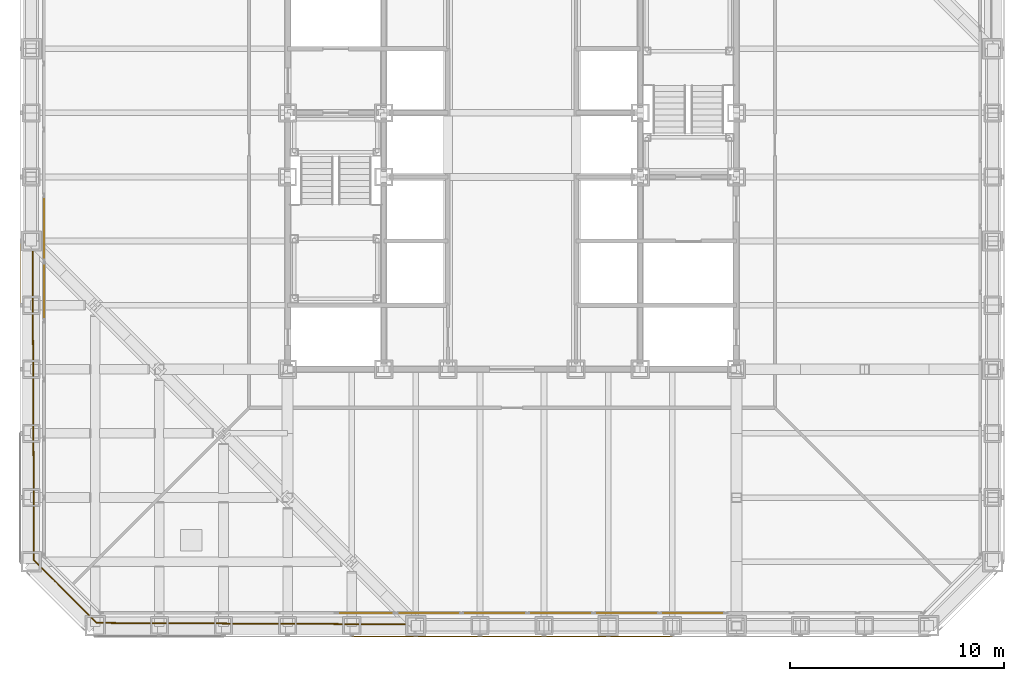
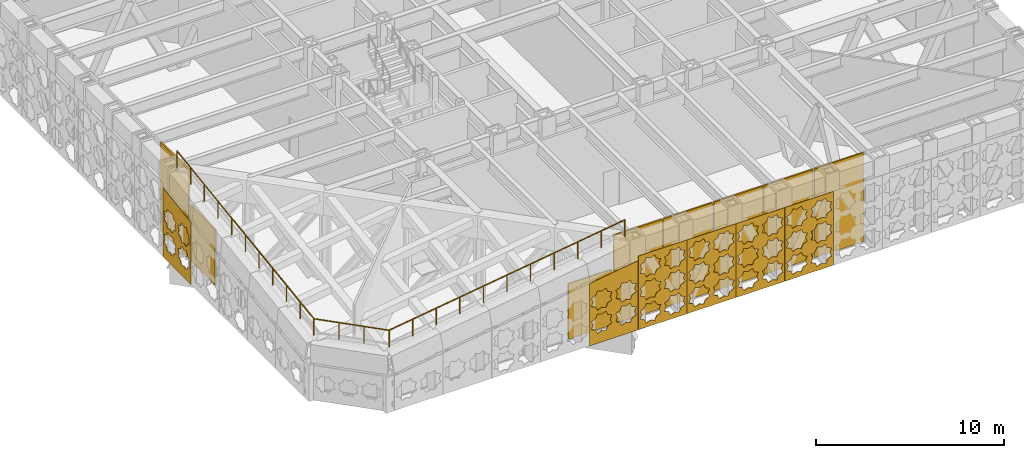
# One storey, part 24 of 31: 8 shading devices, 6 coverings, 1 railing, 4 elements without a shape of their own.
"""IFC4 building model written with IfcOpenShell, lengths in metres."""

from ifc_helpers import new_model, si_unit, direction, frame, origin, origin_2d, place, context, subcontext, project, spatial, polyline, rectangle, circle, outline, extrude, material, layer, layer_set, type_object, element, aggregate, save


model = new_model("IFC4")

# Units and contexts
model_context = context("Model", 3, precision=1e-05, world=origin(), true_north=direction((0.0, 1.0)))
body_context = subcontext(model_context, "Body", "Model", "MODEL_VIEW")
ifc_project = project(units=[si_unit("LENGTHUNIT", "METRE"), si_unit("AREAUNIT", "SQUARE_METRE"), si_unit("VOLUMEUNIT", "CUBIC_METRE"), si_unit("PLANEANGLEUNIT", "RADIAN"), si_unit("MASSUNIT", "GRAM", prefix="KILO")], contexts=[model_context])

# Site, building, storey
site_placement = place(None, origin())
site = spatial("IfcSite", under=ifc_project, at=site_placement, CompositionType="ELEMENT")
building_placement = place(site_placement, origin())
building = spatial("IfcBuilding", under=site, at=building_placement, Name="Chuquiago Exchange Tower", CompositionType="ELEMENT")
storey_placement = place(building_placement, frame((0.0, 0.0, 96.300048828125)))
storey = spatial("IfcBuildingStorey", under=building, at=storey_placement, Name="L20", CompositionType="ELEMENT", Elevation=96.300048828125)

# Curtain wall, shading device
ifc_material_1 = material(Name="Aluminium curtain wall system", Category="aluminium")
ifc_layer_1 = layer(ifc_material_1, 0.199951171875)
ifc_layer_set_1 = layer_set([ifc_layer_1], Name="CW6 plant floor louvre wall")
curtain_wall_type = type_object("IfcCurtainWallType", Name="CW6 plant floor louvre wall", PredefinedType="NOTDEFINED", material=ifc_layer_set_1)
curtain_wall_1_placement = place(storey_placement, origin())
curtain_wall_1 = element("IfcCurtainWall", 1, at=curtain_wall_1_placement, inside=storey, type_object=curtain_wall_type, Name="CW6 curtain wall L20", PredefinedType="NOTDEFINED")
ifc_material_2 = material(Name="Aluminium louvre", Category="aluminium")
ifc_layer_2 = layer(ifc_material_2, 0.10009765625)
ifc_layer_set_2 = layer_set([ifc_layer_2], Name="CW6-P louvre panel 100")
shading_device_type = type_object("IfcShadingDeviceType", Name="CW6-P louvre panel 100", PredefinedType="USERDEFINED", material=ifc_layer_set_2)
shading_device_1_placement = place(storey_placement, frame((15.64794921875, 0.60009765625, 0.0751953125), z_axis=(0.0, 0.0, 1.0), x_axis=(1.0, 0.0, 0.0)))
shading_device_1 = element("IfcShadingDevice", 2, at=shading_device_1_placement, type_object=shading_device_type, Name="CW6 panel 5.1", ObjectType="LOUVER", PredefinedType="USERDEFINED", context=body_context, shape_type="SweptSolid", body=[
    extrude(rectangle(XDim=2.64697265625, YDim=0.10009765625, at=origin_2d()), origin(), (0.0, 0.0, 1.0), 3.593505859375),
])
aggregate(curtain_wall_1, [shading_device_1])

# Curtain wall, shading devices
curtain_wall_2_placement = place(storey_placement, origin())
curtain_wall_2 = element("IfcCurtainWall", 3, at=curtain_wall_2_placement, inside=storey, type_object=curtain_wall_type, Name="CW6 curtain wall L20", PredefinedType="NOTDEFINED")
shading_device_2_placement = place(storey_placement, frame((18.609130859375, 0.60009765625, 0.0751953125), z_axis=(0.0, 0.0, 1.0), x_axis=(1.0, 0.0, 0.0)))
shading_device_2 = element("IfcShadingDevice", 4, at=shading_device_2_placement, type_object=shading_device_type, Name="CW6 panel 1.1", ObjectType="LOUVER", PredefinedType="USERDEFINED", context=body_context, shape_type="SweptSolid", body=[
    extrude(rectangle(XDim=2.9755859375, YDim=0.10009765625, at=origin_2d()), origin(), (0.0, 0.0, 1.0), 5.764892578125),
])
shading_device_3_placement = place(storey_placement, frame((21.6787109375, 0.60009765625, 0.0751953125), z_axis=(0.0, 0.0, 1.0), x_axis=(1.0, 0.0, 0.0)))
shading_device_3 = element("IfcShadingDevice", 5, at=shading_device_3_placement, type_object=shading_device_type, Name="CW6 panel 2.1", ObjectType="LOUVER", PredefinedType="USERDEFINED", context=body_context, shape_type="SweptSolid", body=[
    extrude(rectangle(XDim=3.01318359375, YDim=0.10009765625, at=origin_2d()), origin(), (0.0, 0.0, 1.0), 5.764892578125),
])
shading_device_4_placement = place(storey_placement, frame((24.766845703125, 0.60009765625, 0.0751953125), z_axis=(0.0, 0.0, 1.0), x_axis=(1.0, 0.0, 0.0)))
shading_device_4 = element("IfcShadingDevice", 6, at=shading_device_4_placement, type_object=shading_device_type, Name="CW6 panel 3.1", ObjectType="LOUVER", PredefinedType="USERDEFINED", context=body_context, shape_type="SweptSolid", body=[
    extrude(rectangle(XDim=3.01318359375, YDim=0.10009765625, at=origin_2d()), origin(), (0.0, 0.0, 1.0), 5.764892578125),
])
shading_device_5_placement = place(storey_placement, frame((27.85498046875, 0.60009765625, 0.0751953125), z_axis=(0.0, 0.0, 1.0), x_axis=(1.0, 0.0, 0.0)))
shading_device_5 = element("IfcShadingDevice", 7, at=shading_device_5_placement, type_object=shading_device_type, Name="CW6 panel 4.1", ObjectType="LOUVER", PredefinedType="USERDEFINED", context=body_context, shape_type="SweptSolid", body=[
    extrude(rectangle(XDim=3.01318359375, YDim=0.10009765625, at=origin_2d()), origin(), (0.0, 0.0, 1.0), 5.764892578125),
])
shading_device_6_placement = place(storey_placement, frame((30.943115234375, 0.60009765625, 0.0751953125), z_axis=(0.0, 0.0, 1.0), x_axis=(1.0, 0.0, 0.0)))
shading_device_6 = element("IfcShadingDevice", 8, at=shading_device_6_placement, type_object=shading_device_type, Name="CW6 panel 5.1", ObjectType="LOUVER", PredefinedType="USERDEFINED", context=body_context, shape_type="SweptSolid", body=[
    extrude(rectangle(XDim=3.01318359375, YDim=0.10009765625, at=origin_2d()), origin(), (0.0, 0.0, 1.0), 5.764892578125),
])
aggregate(curtain_wall_2, [shading_device_2, shading_device_3, shading_device_4, shading_device_5, shading_device_6])

# Curtain wall, shading device
curtain_wall_3_placement = place(storey_placement, origin())
curtain_wall_3 = element("IfcCurtainWall", 9, at=curtain_wall_3_placement, inside=storey, type_object=curtain_wall_type, Name="CW6 curtain wall L20", PredefinedType="NOTDEFINED")
shading_device_7_placement = place(storey_placement, frame((0.60009765625, 18.609375, 0.0751953125), z_axis=(0.0, 0.0, 1.0), x_axis=(0.0, -1.0, 0.0)))
shading_device_7 = element("IfcShadingDevice", 10, at=shading_device_7_placement, type_object=shading_device_type, Name="CW6 panel 8.1", ObjectType="LOUVER", PredefinedType="USERDEFINED", context=body_context, shape_type="SweptSolid", body=[
    extrude(rectangle(XDim=2.9755859375, YDim=0.10009765625, at=origin_2d()), origin(), (0.0, 0.0, 1.0), 5.764892578125),
])
aggregate(curtain_wall_3, [shading_device_7])

curtain_wall_4_placement = place(storey_placement, origin())
curtain_wall_4 = element("IfcCurtainWall", 11, at=curtain_wall_4_placement, inside=storey, type_object=curtain_wall_type, Name="CW6 curtain wall L20", PredefinedType="NOTDEFINED")
shading_device_8_placement = place(storey_placement, frame((0.60009765625, 15.64794921875, 0.0751953125), z_axis=(0.0, 0.0, 1.0), x_axis=(0.0, -1.0, 0.0)))
shading_device_8 = element("IfcShadingDevice", 12, at=shading_device_8_placement, type_object=shading_device_type, Name="CW6 panel 1.1", ObjectType="LOUVER", PredefinedType="USERDEFINED", context=body_context, shape_type="SweptSolid", body=[
    extrude(rectangle(XDim=2.64697265625, YDim=0.10009765625, at=origin_2d()), origin(), (0.0, 0.0, 1.0), 3.593505859375),
])
aggregate(curtain_wall_4, [shading_device_8])

# Coverings
ifc_material_3 = material(Name="Anodised aluminium, pale", Category="aluminium")
ifc_layer_3 = layer(ifc_material_3, 0.02001953125)
ifc_layer_set_3 = layer_set([ifc_layer_3], Name="GC1 girih cladding panel 20")
covering_type = type_object("IfcCoveringType", Name="GC1 girih cladding panel 20", PredefinedType="CLADDING", material=ifc_layer_set_3)
covering_1_placement = place(storey_placement, frame((15.0048828125, -0.5, 0.050048828125), z_axis=(0.0, 0.0, 1.0), x_axis=(1.0, 0.0, 0.0)))
element("IfcCovering", 13, at=covering_1_placement, inside=storey, type_object=covering_type, Name="Girih cladding panel L20 S 5", PredefinedType="CLADDING", context=body_context, shape_type="SweptSolid", body=[
    extrude(outline(polyline([(0.0, 0.0), (2.989990234375, 0.0), (2.989990234375, 4.4990234375), (0.0, 4.0498046875), (0.0, 0.0)]), holes=[polyline([(1.27392578125, 1.27734375), (1.3828125, 1.54052734375), (1.11962890625, 1.6494140625), (1.0107421875, 1.91259765625), (0.74755859375, 1.8037109375), (0.484375, 1.91259765625), (0.375244140625, 1.6494140625), (0.112060546875, 1.54052734375), (0.22119140625, 1.27734375), (0.112060546875, 1.01416015625), (0.375244140625, 0.9052734375), (0.484375, 0.64208984375), (0.74755859375, 0.7509765625), (1.0107421875, 0.64208984375), (1.11962890625, 0.9052734375), (1.3828125, 1.01416015625), (1.27392578125, 1.27734375)]), polyline([(2.768798828125, 1.27734375), (2.8779296875, 1.54052734375), (2.61474609375, 1.6494140625), (2.505615234375, 1.91259765625), (2.242431640625, 1.8037109375), (1.979248046875, 1.91259765625), (1.870361328125, 1.6494140625), (1.607177734375, 1.54052734375), (1.716064453125, 1.27734375), (1.607177734375, 1.01416015625), (1.870361328125, 0.9052734375), (1.979248046875, 0.64208984375), (2.242431640625, 0.7509765625), (2.505615234375, 0.64208984375), (2.61474609375, 0.9052734375), (2.8779296875, 1.01416015625), (2.768798828125, 1.27734375)]), polyline([(1.27392578125, 2.7724609375), (1.3828125, 3.035400390625), (1.11962890625, 3.14453125), (1.0107421875, 3.40771484375), (0.74755859375, 3.298583984375), (0.484375, 3.40771484375), (0.375244140625, 3.14453125), (0.112060546875, 3.035400390625), (0.22119140625, 2.7724609375), (0.112060546875, 2.50927734375), (0.375244140625, 2.400146484375), (0.484375, 2.136962890625), (0.74755859375, 2.24609375), (1.0107421875, 2.136962890625), (1.11962890625, 2.400146484375), (1.3828125, 2.50927734375), (1.27392578125, 2.7724609375)]), polyline([(2.768798828125, 2.7724609375), (2.8779296875, 3.035400390625), (2.61474609375, 3.14453125), (2.505615234375, 3.40771484375), (2.242431640625, 3.298583984375), (1.979248046875, 3.40771484375), (1.870361328125, 3.14453125), (1.607177734375, 3.035400390625), (1.716064453125, 2.7724609375), (1.607177734375, 2.50927734375), (1.870361328125, 2.400146484375), (1.979248046875, 2.136962890625), (2.242431640625, 2.24609375), (2.505615234375, 2.136962890625), (2.61474609375, 2.400146484375), (2.8779296875, 2.50927734375), (2.768798828125, 2.7724609375)])]), frame((0.0, 0.0, 0.0), z_axis=(0.0, -1.0, 0.0), x_axis=(1.0, 0.0, 0.0)), (0.0, 0.0, 1.0), 0.02001953125),
])
covering_2_placement = place(storey_placement, frame((18.0048828125, -0.5, 0.050048828125), z_axis=(0.0, 0.0, 1.0), x_axis=(1.0, 0.0, 0.0)))
element("IfcCovering", 14, at=covering_2_placement, inside=storey, type_object=covering_type, Name="Girih cladding panel L20 S 6", PredefinedType="CLADDING", context=body_context, shape_type="SweptSolid", body=[
    extrude(outline(polyline([(0.0, 0.0), (2.989990234375, 0.0), (2.989990234375, 4.789794921875), (0.0, 4.789794921875), (0.0, 0.0)]), holes=[polyline([(1.27392578125, 0.89990234375), (1.3828125, 1.1630859375), (1.11962890625, 1.272216796875), (1.0107421875, 1.535400390625), (0.74755859375, 1.42626953125), (0.484375, 1.535400390625), (0.375244140625, 1.272216796875), (0.112060546875, 1.1630859375), (0.22119140625, 0.89990234375), (0.112060546875, 0.63671875), (0.375244140625, 0.527587890625), (0.484375, 0.264404296875), (0.74755859375, 0.37353515625), (1.0107421875, 0.264404296875), (1.11962890625, 0.527587890625), (1.3828125, 0.63671875), (1.27392578125, 0.89990234375)]), polyline([(2.768798828125, 0.89990234375), (2.8779296875, 1.1630859375), (2.61474609375, 1.272216796875), (2.505615234375, 1.535400390625), (2.242431640625, 1.42626953125), (1.979248046875, 1.535400390625), (1.870361328125, 1.272216796875), (1.607177734375, 1.1630859375), (1.716064453125, 0.89990234375), (1.607177734375, 0.63671875), (1.870361328125, 0.527587890625), (1.979248046875, 0.264404296875), (2.242431640625, 0.37353515625), (2.505615234375, 0.264404296875), (2.61474609375, 0.527587890625), (2.8779296875, 0.63671875), (2.768798828125, 0.89990234375)]), polyline([(1.27392578125, 2.39501953125), (1.3828125, 2.658203125), (1.11962890625, 2.76708984375), (1.0107421875, 3.0302734375), (0.74755859375, 2.92138671875), (0.484375, 3.0302734375), (0.375244140625, 2.76708984375), (0.112060546875, 2.658203125), (0.22119140625, 2.39501953125), (0.112060546875, 2.131591796875), (0.375244140625, 2.022705078125), (0.484375, 1.759521484375), (0.74755859375, 1.868408203125), (1.0107421875, 1.759521484375), (1.11962890625, 2.022705078125), (1.3828125, 2.131591796875), (1.27392578125, 2.39501953125)]), polyline([(2.768798828125, 2.39501953125), (2.8779296875, 2.658203125), (2.61474609375, 2.76708984375), (2.505615234375, 3.0302734375), (2.242431640625, 2.92138671875), (1.979248046875, 3.0302734375), (1.870361328125, 2.76708984375), (1.607177734375, 2.658203125), (1.716064453125, 2.39501953125), (1.607177734375, 2.131591796875), (1.870361328125, 2.022705078125), (1.979248046875, 1.759521484375), (2.242431640625, 1.868408203125), (2.505615234375, 1.759521484375), (2.61474609375, 2.022705078125), (2.8779296875, 2.131591796875), (2.768798828125, 2.39501953125)]), polyline([(1.27392578125, 3.889892578125), (1.3828125, 4.153076171875), (1.11962890625, 4.26220703125), (1.0107421875, 4.525390625), (0.74755859375, 4.416259765625), (0.484375, 4.525390625), (0.375244140625, 4.26220703125), (0.112060546875, 4.153076171875), (0.22119140625, 3.889892578125), (0.112060546875, 3.626708984375), (0.375244140625, 3.517822265625), (0.484375, 3.25439453125), (0.74755859375, 3.363525390625), (1.0107421875, 3.25439453125), (1.11962890625, 3.517822265625), (1.3828125, 3.626708984375), (1.27392578125, 3.889892578125)]), polyline([(2.768798828125, 3.889892578125), (2.8779296875, 4.153076171875), (2.61474609375, 4.26220703125), (2.505615234375, 4.525390625), (2.242431640625, 4.416259765625), (1.979248046875, 4.525390625), (1.870361328125, 4.26220703125), (1.607177734375, 4.153076171875), (1.716064453125, 3.889892578125), (1.607177734375, 3.626708984375), (1.870361328125, 3.517822265625), (1.979248046875, 3.25439453125), (2.242431640625, 3.363525390625), (2.505615234375, 3.25439453125), (2.61474609375, 3.517822265625), (2.8779296875, 3.626708984375), (2.768798828125, 3.889892578125)])]), frame((0.0, 0.0, 0.0), z_axis=(0.0, -1.0, 0.0), x_axis=(1.0, 0.0, 0.0)), (0.0, 0.0, 1.0), 0.02001953125),
])
covering_3_placement = place(storey_placement, frame((21.0048828125, -0.5, 0.050048828125), z_axis=(0.0, 0.0, 1.0), x_axis=(1.0, 0.0, 0.0)))
element("IfcCovering", 15, at=covering_3_placement, inside=storey, type_object=covering_type, Name="Girih cladding panel L20 S 7", PredefinedType="CLADDING", context=body_context, shape_type="SweptSolid", body=[
    extrude(outline(polyline([(0.0, 0.0), (2.989990234375, 0.0), (2.989990234375, 4.789794921875), (0.0, 4.789794921875), (0.0, 0.0)]), holes=[polyline([(1.27392578125, 0.89990234375), (1.3828125, 1.1630859375), (1.11962890625, 1.272216796875), (1.0107421875, 1.535400390625), (0.74755859375, 1.42626953125), (0.484375, 1.535400390625), (0.375244140625, 1.272216796875), (0.112060546875, 1.1630859375), (0.22119140625, 0.89990234375), (0.112060546875, 0.63671875), (0.375244140625, 0.527587890625), (0.484375, 0.264404296875), (0.74755859375, 0.37353515625), (1.0107421875, 0.264404296875), (1.11962890625, 0.527587890625), (1.3828125, 0.63671875), (1.27392578125, 0.89990234375)]), polyline([(2.768798828125, 0.89990234375), (2.8779296875, 1.1630859375), (2.61474609375, 1.272216796875), (2.505615234375, 1.535400390625), (2.242431640625, 1.42626953125), (1.979248046875, 1.535400390625), (1.870361328125, 1.272216796875), (1.607177734375, 1.1630859375), (1.716064453125, 0.89990234375), (1.607177734375, 0.63671875), (1.870361328125, 0.527587890625), (1.979248046875, 0.264404296875), (2.242431640625, 0.37353515625), (2.505615234375, 0.264404296875), (2.61474609375, 0.527587890625), (2.8779296875, 0.63671875), (2.768798828125, 0.89990234375)]), polyline([(1.27392578125, 2.39501953125), (1.3828125, 2.658203125), (1.11962890625, 2.76708984375), (1.0107421875, 3.0302734375), (0.74755859375, 2.92138671875), (0.484375, 3.0302734375), (0.375244140625, 2.76708984375), (0.112060546875, 2.658203125), (0.22119140625, 2.39501953125), (0.112060546875, 2.131591796875), (0.375244140625, 2.022705078125), (0.484375, 1.759521484375), (0.74755859375, 1.868408203125), (1.0107421875, 1.759521484375), (1.11962890625, 2.022705078125), (1.3828125, 2.131591796875), (1.27392578125, 2.39501953125)]), polyline([(2.768798828125, 2.39501953125), (2.8779296875, 2.658203125), (2.61474609375, 2.76708984375), (2.505615234375, 3.0302734375), (2.242431640625, 2.92138671875), (1.979248046875, 3.0302734375), (1.870361328125, 2.76708984375), (1.607177734375, 2.658203125), (1.716064453125, 2.39501953125), (1.607177734375, 2.131591796875), (1.870361328125, 2.022705078125), (1.979248046875, 1.759521484375), (2.242431640625, 1.868408203125), (2.505615234375, 1.759521484375), (2.61474609375, 2.022705078125), (2.8779296875, 2.131591796875), (2.768798828125, 2.39501953125)]), polyline([(1.27392578125, 3.889892578125), (1.3828125, 4.153076171875), (1.11962890625, 4.26220703125), (1.0107421875, 4.525390625), (0.74755859375, 4.416259765625), (0.484375, 4.525390625), (0.375244140625, 4.26220703125), (0.112060546875, 4.153076171875), (0.22119140625, 3.889892578125), (0.112060546875, 3.626708984375), (0.375244140625, 3.517822265625), (0.484375, 3.25439453125), (0.74755859375, 3.363525390625), (1.0107421875, 3.25439453125), (1.11962890625, 3.517822265625), (1.3828125, 3.626708984375), (1.27392578125, 3.889892578125)]), polyline([(2.768798828125, 3.889892578125), (2.8779296875, 4.153076171875), (2.61474609375, 4.26220703125), (2.505615234375, 4.525390625), (2.242431640625, 4.416259765625), (1.979248046875, 4.525390625), (1.870361328125, 4.26220703125), (1.607177734375, 4.153076171875), (1.716064453125, 3.889892578125), (1.607177734375, 3.626708984375), (1.870361328125, 3.517822265625), (1.979248046875, 3.25439453125), (2.242431640625, 3.363525390625), (2.505615234375, 3.25439453125), (2.61474609375, 3.517822265625), (2.8779296875, 3.626708984375), (2.768798828125, 3.889892578125)])]), frame((0.0, 0.0, 0.0), z_axis=(0.0, -1.0, 0.0), x_axis=(1.0, 0.0, 0.0)), (0.0, 0.0, 1.0), 0.02001953125),
])
covering_4_placement = place(storey_placement, frame((24.0048828125, -0.5, 0.050048828125), z_axis=(0.0, 0.0, 1.0), x_axis=(1.0, 0.0, 0.0)))
element("IfcCovering", 16, at=covering_4_placement, inside=storey, type_object=covering_type, Name="Girih cladding panel L20 S 8", PredefinedType="CLADDING", context=body_context, shape_type="SweptSolid", body=[
    extrude(outline(polyline([(0.0, 0.0), (2.989990234375, 0.0), (2.989990234375, 4.789794921875), (0.0, 4.789794921875), (0.0, 0.0)]), holes=[polyline([(1.27392578125, 0.89990234375), (1.3828125, 1.1630859375), (1.11962890625, 1.272216796875), (1.0107421875, 1.535400390625), (0.74755859375, 1.42626953125), (0.484375, 1.535400390625), (0.375244140625, 1.272216796875), (0.112060546875, 1.1630859375), (0.22119140625, 0.89990234375), (0.112060546875, 0.63671875), (0.375244140625, 0.527587890625), (0.484375, 0.264404296875), (0.74755859375, 0.37353515625), (1.0107421875, 0.264404296875), (1.11962890625, 0.527587890625), (1.3828125, 0.63671875), (1.27392578125, 0.89990234375)]), polyline([(2.768798828125, 0.89990234375), (2.8779296875, 1.1630859375), (2.61474609375, 1.272216796875), (2.505615234375, 1.535400390625), (2.242431640625, 1.42626953125), (1.979248046875, 1.535400390625), (1.870361328125, 1.272216796875), (1.607177734375, 1.1630859375), (1.716064453125, 0.89990234375), (1.607177734375, 0.63671875), (1.870361328125, 0.527587890625), (1.979248046875, 0.264404296875), (2.242431640625, 0.37353515625), (2.505615234375, 0.264404296875), (2.61474609375, 0.527587890625), (2.8779296875, 0.63671875), (2.768798828125, 0.89990234375)]), polyline([(1.27392578125, 2.39501953125), (1.3828125, 2.658203125), (1.11962890625, 2.76708984375), (1.0107421875, 3.0302734375), (0.74755859375, 2.92138671875), (0.484375, 3.0302734375), (0.375244140625, 2.76708984375), (0.112060546875, 2.658203125), (0.22119140625, 2.39501953125), (0.112060546875, 2.131591796875), (0.375244140625, 2.022705078125), (0.484375, 1.759521484375), (0.74755859375, 1.868408203125), (1.0107421875, 1.759521484375), (1.11962890625, 2.022705078125), (1.3828125, 2.131591796875), (1.27392578125, 2.39501953125)]), polyline([(2.768798828125, 2.39501953125), (2.8779296875, 2.658203125), (2.61474609375, 2.76708984375), (2.505615234375, 3.0302734375), (2.242431640625, 2.92138671875), (1.979248046875, 3.0302734375), (1.870361328125, 2.76708984375), (1.607177734375, 2.658203125), (1.716064453125, 2.39501953125), (1.607177734375, 2.131591796875), (1.870361328125, 2.022705078125), (1.979248046875, 1.759521484375), (2.242431640625, 1.868408203125), (2.505615234375, 1.759521484375), (2.61474609375, 2.022705078125), (2.8779296875, 2.131591796875), (2.768798828125, 2.39501953125)]), polyline([(1.27392578125, 3.889892578125), (1.3828125, 4.153076171875), (1.11962890625, 4.26220703125), (1.0107421875, 4.525390625), (0.74755859375, 4.416259765625), (0.484375, 4.525390625), (0.375244140625, 4.26220703125), (0.112060546875, 4.153076171875), (0.22119140625, 3.889892578125), (0.112060546875, 3.626708984375), (0.375244140625, 3.517822265625), (0.484375, 3.25439453125), (0.74755859375, 3.363525390625), (1.0107421875, 3.25439453125), (1.11962890625, 3.517822265625), (1.3828125, 3.626708984375), (1.27392578125, 3.889892578125)]), polyline([(2.768798828125, 3.889892578125), (2.8779296875, 4.153076171875), (2.61474609375, 4.26220703125), (2.505615234375, 4.525390625), (2.242431640625, 4.416259765625), (1.979248046875, 4.525390625), (1.870361328125, 4.26220703125), (1.607177734375, 4.153076171875), (1.716064453125, 3.889892578125), (1.607177734375, 3.626708984375), (1.870361328125, 3.517822265625), (1.979248046875, 3.25439453125), (2.242431640625, 3.363525390625), (2.505615234375, 3.25439453125), (2.61474609375, 3.517822265625), (2.8779296875, 3.626708984375), (2.768798828125, 3.889892578125)])]), frame((0.0, 0.0, 0.0), z_axis=(0.0, -1.0, 0.0), x_axis=(1.0, 0.0, 0.0)), (0.0, 0.0, 1.0), 0.02001953125),
])
covering_5_placement = place(storey_placement, frame((27.0048828125, -0.5, 0.050048828125), z_axis=(0.0, 0.0, 1.0), x_axis=(1.0, 0.0, 0.0)))
element("IfcCovering", 17, at=covering_5_placement, inside=storey, type_object=covering_type, Name="Girih cladding panel L20 S 9", PredefinedType="CLADDING", context=body_context, shape_type="SweptSolid", body=[
    extrude(outline(polyline([(0.0, 0.0), (2.989990234375, 0.0), (2.989990234375, 4.789794921875), (0.0, 4.789794921875), (0.0, 0.0)]), holes=[polyline([(1.27392578125, 0.89990234375), (1.3828125, 1.1630859375), (1.11962890625, 1.272216796875), (1.0107421875, 1.535400390625), (0.74755859375, 1.42626953125), (0.484375, 1.535400390625), (0.375244140625, 1.272216796875), (0.112060546875, 1.1630859375), (0.22119140625, 0.89990234375), (0.112060546875, 0.63671875), (0.375244140625, 0.527587890625), (0.484375, 0.264404296875), (0.74755859375, 0.37353515625), (1.0107421875, 0.264404296875), (1.11962890625, 0.527587890625), (1.3828125, 0.63671875), (1.27392578125, 0.89990234375)]), polyline([(2.768798828125, 0.89990234375), (2.8779296875, 1.1630859375), (2.61474609375, 1.272216796875), (2.505615234375, 1.535400390625), (2.242431640625, 1.42626953125), (1.979248046875, 1.535400390625), (1.870361328125, 1.272216796875), (1.607177734375, 1.1630859375), (1.716064453125, 0.89990234375), (1.607177734375, 0.63671875), (1.870361328125, 0.527587890625), (1.979248046875, 0.264404296875), (2.242431640625, 0.37353515625), (2.505615234375, 0.264404296875), (2.61474609375, 0.527587890625), (2.8779296875, 0.63671875), (2.768798828125, 0.89990234375)]), polyline([(1.27392578125, 2.39501953125), (1.3828125, 2.658203125), (1.11962890625, 2.76708984375), (1.0107421875, 3.0302734375), (0.74755859375, 2.92138671875), (0.484375, 3.0302734375), (0.375244140625, 2.76708984375), (0.112060546875, 2.658203125), (0.22119140625, 2.39501953125), (0.112060546875, 2.131591796875), (0.375244140625, 2.022705078125), (0.484375, 1.759521484375), (0.74755859375, 1.868408203125), (1.0107421875, 1.759521484375), (1.11962890625, 2.022705078125), (1.3828125, 2.131591796875), (1.27392578125, 2.39501953125)]), polyline([(2.768798828125, 2.39501953125), (2.8779296875, 2.658203125), (2.61474609375, 2.76708984375), (2.505615234375, 3.0302734375), (2.242431640625, 2.92138671875), (1.979248046875, 3.0302734375), (1.870361328125, 2.76708984375), (1.607177734375, 2.658203125), (1.716064453125, 2.39501953125), (1.607177734375, 2.131591796875), (1.870361328125, 2.022705078125), (1.979248046875, 1.759521484375), (2.242431640625, 1.868408203125), (2.505615234375, 1.759521484375), (2.61474609375, 2.022705078125), (2.8779296875, 2.131591796875), (2.768798828125, 2.39501953125)]), polyline([(1.27392578125, 3.889892578125), (1.3828125, 4.153076171875), (1.11962890625, 4.26220703125), (1.0107421875, 4.525390625), (0.74755859375, 4.416259765625), (0.484375, 4.525390625), (0.375244140625, 4.26220703125), (0.112060546875, 4.153076171875), (0.22119140625, 3.889892578125), (0.112060546875, 3.626708984375), (0.375244140625, 3.517822265625), (0.484375, 3.25439453125), (0.74755859375, 3.363525390625), (1.0107421875, 3.25439453125), (1.11962890625, 3.517822265625), (1.3828125, 3.626708984375), (1.27392578125, 3.889892578125)]), polyline([(2.768798828125, 3.889892578125), (2.8779296875, 4.153076171875), (2.61474609375, 4.26220703125), (2.505615234375, 4.525390625), (2.242431640625, 4.416259765625), (1.979248046875, 4.525390625), (1.870361328125, 4.26220703125), (1.607177734375, 4.153076171875), (1.716064453125, 3.889892578125), (1.607177734375, 3.626708984375), (1.870361328125, 3.517822265625), (1.979248046875, 3.25439453125), (2.242431640625, 3.363525390625), (2.505615234375, 3.25439453125), (2.61474609375, 3.517822265625), (2.8779296875, 3.626708984375), (2.768798828125, 3.889892578125)])]), frame((0.0, 0.0, 0.0), z_axis=(0.0, -1.0, 0.0), x_axis=(1.0, 0.0, 0.0)), (0.0, 0.0, 1.0), 0.02001953125),
])
covering_6_placement = place(storey_placement, frame((-0.5, 17.9951171875, 0.050048828125), z_axis=(0.0, 0.0, 1.0), x_axis=(0.0, -1.0, 0.0)))
element("IfcCovering", 18, at=covering_6_placement, inside=storey, type_object=covering_type, Name="Girih cladding panel L20 W 9", PredefinedType="CLADDING", context=body_context, shape_type="SweptSolid", body=[
    extrude(outline(polyline([(0.0, 0.0), (2.989990234375, 0.0), (2.989990234375, 4.0498046875), (0.0, 4.4990234375), (0.0, 0.0)]), holes=[polyline([(1.27392578125, 1.27734375), (1.3828125, 1.54052734375), (1.11962890625, 1.6494140625), (1.0107421875, 1.91259765625), (0.74755859375, 1.8037109375), (0.484375, 1.91259765625), (0.375244140625, 1.6494140625), (0.112060546875, 1.54052734375), (0.22119140625, 1.27734375), (0.112060546875, 1.01416015625), (0.375244140625, 0.9052734375), (0.484375, 0.64208984375), (0.74755859375, 0.7509765625), (1.0107421875, 0.64208984375), (1.11962890625, 0.9052734375), (1.3828125, 1.01416015625), (1.27392578125, 1.27734375)]), polyline([(2.768798828125, 1.27734375), (2.8779296875, 1.54052734375), (2.61474609375, 1.6494140625), (2.505615234375, 1.91259765625), (2.242431640625, 1.8037109375), (1.979248046875, 1.91259765625), (1.870361328125, 1.6494140625), (1.607177734375, 1.54052734375), (1.716064453125, 1.27734375), (1.607177734375, 1.01416015625), (1.870361328125, 0.9052734375), (1.979248046875, 0.64208984375), (2.242431640625, 0.7509765625), (2.505615234375, 0.64208984375), (2.61474609375, 0.9052734375), (2.8779296875, 1.01416015625), (2.768798828125, 1.27734375)]), polyline([(1.27392578125, 2.7724609375), (1.3828125, 3.035400390625), (1.11962890625, 3.14453125), (1.0107421875, 3.40771484375), (0.74755859375, 3.298583984375), (0.484375, 3.40771484375), (0.375244140625, 3.14453125), (0.112060546875, 3.035400390625), (0.22119140625, 2.7724609375), (0.112060546875, 2.50927734375), (0.375244140625, 2.400146484375), (0.484375, 2.136962890625), (0.74755859375, 2.24609375), (1.0107421875, 2.136962890625), (1.11962890625, 2.400146484375), (1.3828125, 2.50927734375), (1.27392578125, 2.7724609375)]), polyline([(2.768798828125, 2.7724609375), (2.8779296875, 3.035400390625), (2.61474609375, 3.14453125), (2.505615234375, 3.40771484375), (2.242431640625, 3.298583984375), (1.979248046875, 3.40771484375), (1.870361328125, 3.14453125), (1.607177734375, 3.035400390625), (1.716064453125, 2.7724609375), (1.607177734375, 2.50927734375), (1.870361328125, 2.400146484375), (1.979248046875, 2.136962890625), (2.242431640625, 2.24609375), (2.505615234375, 2.136962890625), (2.61474609375, 2.400146484375), (2.8779296875, 2.50927734375), (2.768798828125, 2.7724609375)])]), frame((0.0, 0.0, 0.0), z_axis=(0.0, -1.0, 0.0), x_axis=(1.0, 0.0, 0.0)), (0.0, 0.0, 1.0), 0.02001953125),
])

# Railing
ifc_material_4 = material(Name="Galvanised steel guard", Category="steel")
railing_type = type_object("IfcRailingType", Name="GR2 roof guard 1100", PredefinedType="GUARDRAIL", material=ifc_material_4)
railing_placement = place(storey_placement, frame((17.51318359375, 0.069091796875, 5.937255859375)))
element("IfcRailing", 19, at=railing_placement, inside=storey, type_object=railing_type, Name="Facet roof L20 SW guard, maintenance access only", PredefinedType="GUARDRAIL", context=body_context, shape_type="SweptSolid", body=[
    extrude(circle(Radius=0.02392578125, at=origin_2d()), frame((0.0, 0.0, 1.076171875), z_axis=(-0.98897923352, 0.004445977288, -0.147987529721), x_axis=(-0.004495475953, -0.999989895297, 0.0)), (0.0, 0.0, 1.0), 14.606689453125),
    extrude(circle(Radius=0.02392578125, at=origin_2d()), frame((-14.44580078125, 0.06494140625, -1.08544921875), z_axis=(-0.707106781187, 0.707106781187, 0.0), x_axis=(-0.707106781187, -0.707106781187, 0.0)), (0.0, 0.0, 1.0), 4.1484375),
    extrude(circle(Radius=0.02392578125, at=origin_2d()), frame((-17.379150390625, 2.998291015625, -1.08544921875), z_axis=(-0.004445977288, 0.98897923352, 0.147987529721), x_axis=(-0.999989895297, -0.004495475953, 0.0)), (0.0, 0.0, 1.0), 14.606689453125),
    extrude(circle(Radius=0.02099609375, at=origin_2d()), origin(), (0.0, 0.0, 1.0), 1.052001953125),
    extrude(circle(Radius=0.02099609375, at=origin_2d()), frame((-1.444580078125, 0.006591796875, -0.216064453125)), (0.0, 0.0, 1.0), 1.052001953125),
    extrude(circle(Radius=0.02099609375, at=origin_2d()), frame((-2.88916015625, 0.012939453125, -0.432373046875)), (0.0, 0.0, 1.0), 1.052001953125),
    extrude(circle(Radius=0.02099609375, at=origin_2d()), frame((-4.333740234375, 0.01953125, -0.6484375)), (0.0, 0.0, 1.0), 1.052001953125),
    extrude(circle(Radius=0.02099609375, at=origin_2d()), frame((-5.7783203125, 0.02587890625, -0.86474609375)), (0.0, 0.0, 1.0), 1.052001953125),
    extrude(circle(Radius=0.02099609375, at=origin_2d()), frame((-7.222900390625, 0.032470703125, -1.080810546875)), (0.0, 0.0, 1.0), 1.052001953125),
    extrude(circle(Radius=0.02099609375, at=origin_2d()), frame((-8.66748046875, 0.0390625, -1.296875)), (0.0, 0.0, 1.0), 1.052001953125),
    extrude(circle(Radius=0.02099609375, at=origin_2d()), frame((-10.112060546875, 0.04541015625, -1.51318359375)), (0.0, 0.0, 1.0), 1.052001953125),
    extrude(circle(Radius=0.02099609375, at=origin_2d()), frame((-11.556640625, 0.052001953125, -1.729248046875)), (0.0, 0.0, 1.0), 1.052001953125),
    extrude(circle(Radius=0.02099609375, at=origin_2d()), frame((-13.001220703125, 0.058349609375, -1.945556640625)), (0.0, 0.0, 1.0), 1.052001953125),
    extrude(circle(Radius=0.02099609375, at=origin_2d()), frame((-14.44580078125, 0.06494140625, -2.16162109375)), (0.0, 0.0, 1.0), 1.052001953125),
    extrude(circle(Radius=0.02099609375, at=origin_2d()), frame((-15.423583984375, 1.042724609375, -2.16162109375)), (0.0, 0.0, 1.0), 1.052001953125),
    extrude(circle(Radius=0.02099609375, at=origin_2d()), frame((-16.4013671875, 2.0205078125, -2.16162109375)), (0.0, 0.0, 1.0), 1.052001953125),
    extrude(circle(Radius=0.02099609375, at=origin_2d()), frame((-17.379150390625, 2.998291015625, -2.16162109375)), (0.0, 0.0, 1.0), 1.052001953125),
    extrude(circle(Radius=0.02099609375, at=origin_2d()), frame((-17.3857421875, 4.44287109375, -1.945556640625)), (0.0, 0.0, 1.0), 1.052001953125),
    extrude(circle(Radius=0.02099609375, at=origin_2d()), frame((-17.39208984375, 5.887451171875, -1.729248046875)), (0.0, 0.0, 1.0), 1.052001953125),
    extrude(circle(Radius=0.02099609375, at=origin_2d()), frame((-17.398681640625, 7.33203125, -1.51318359375)), (0.0, 0.0, 1.0), 1.052001953125),
    extrude(circle(Radius=0.02099609375, at=origin_2d()), frame((-17.405029296875, 8.776611328125, -1.296875)), (0.0, 0.0, 1.0), 1.052001953125),
    extrude(circle(Radius=0.02099609375, at=origin_2d()), frame((-17.41162109375, 10.22119140625, -1.080810546875)), (0.0, 0.0, 1.0), 1.052001953125),
    extrude(circle(Radius=0.02099609375, at=origin_2d()), frame((-17.418212890625, 11.665771484375, -0.86474609375)), (0.0, 0.0, 1.0), 1.052001953125),
    extrude(circle(Radius=0.02099609375, at=origin_2d()), frame((-17.424560546875, 13.1103515625, -0.6484375)), (0.0, 0.0, 1.0), 1.052001953125),
    extrude(circle(Radius=0.02099609375, at=origin_2d()), frame((-17.43115234375, 14.554931640625, -0.432373046875)), (0.0, 0.0, 1.0), 1.052001953125),
    extrude(circle(Radius=0.02099609375, at=origin_2d()), frame((-17.4375, 15.99951171875, -0.216064453125)), (0.0, 0.0, 1.0), 1.052001953125),
    extrude(circle(Radius=0.02099609375, at=origin_2d()), frame((-17.444091796875, 17.444091796875, 0.0)), (0.0, 0.0, 1.0), 1.052001953125),
])

save(model, "model.ifc")
